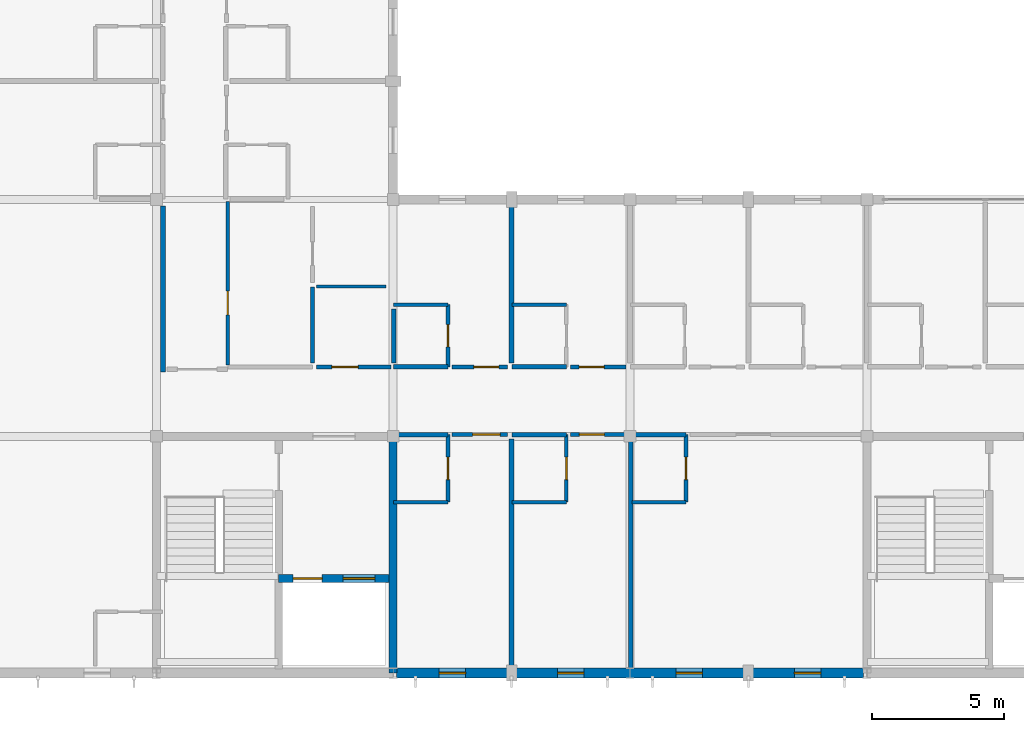
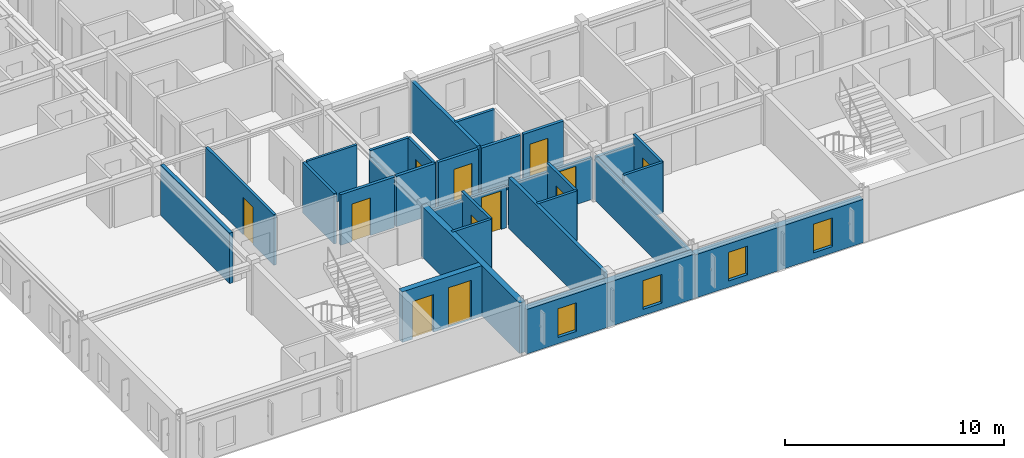
# One storey, part 10 of 24: 31 walls, 12 doors, 4 windows, 16 openings.
"""IFC4 building model written with IfcOpenShell, lengths in metres."""

from ifc_helpers import new_model, si_unit, direction, frame, frame_2d, origin, place, context, subcontext, project, spatial, rectangle, extrude, material, layer, layer_set, type_object, element, fill, save


model = new_model("IFC4")

# Units and contexts
model_context = context("Model", 3, precision=1e-05, world=origin(), true_north=direction((0.0, 1.0)))
body_context = subcontext(model_context, "Body", "Model", "MODEL_VIEW")
ifc_project = project(units=[si_unit("LENGTHUNIT", "METRE"), si_unit("AREAUNIT", "SQUARE_METRE"), si_unit("VOLUMEUNIT", "CUBIC_METRE"), si_unit("PLANEANGLEUNIT", "RADIAN"), si_unit("MASSUNIT", "GRAM", prefix="KILO")], contexts=[model_context])

# Site, building, storey
site_placement = place(None, origin())
site = spatial("IfcSite", under=ifc_project, at=site_placement, CompositionType="ELEMENT")
building_placement = place(site_placement, origin())
building = spatial("IfcBuilding", under=site, at=building_placement, Name="Palais des Congres Ocreval", CompositionType="ELEMENT")
storey_placement = place(building_placement, frame((0.0, 0.0, 17.60009765625)))
storey = spatial("IfcBuildingStorey", under=building, at=storey_placement, Name="L05", CompositionType="ELEMENT", Elevation=17.60009765625)

# Wall, opening, door
ifc_material_1 = material(Name="Moisture-resistant gypsum board")
ifc_layer_1 = layer(ifc_material_1, 0.139892578125)
ifc_layer_set_1 = layer_set([ifc_layer_1], Name="Bathroom Plumbing Chase Wall 140 Gypsum (Moisture-resistant gypsum board)")
wall_type_1 = type_object("IfcWallType", Name="Bathroom Plumbing Chase Wall 140 Gypsum", PredefinedType="PLUMBINGWALL", material=ifc_layer_set_1)
wall_1_placement = place(storey_placement, frame((20.080078125, 6.5, 0.0), z_axis=(0.0, 0.0, 1.0), x_axis=(0.0, 1.0, 0.0)))
wall_1 = element("IfcWall", 1, at=wall_1_placement, inside=storey, type_object=wall_type_1, Name="Bathroom Plumbing Wall PW03 L05", PredefinedType="PLUMBINGWALL", context=body_context, shape_type="SweptSolid", body=[
    extrude(rectangle(XDim=2.56005859375, YDim=0.139892578125, at=frame_2d((1.280029296875, 0.0))), origin(), (0.0, 0.0, 1.0), 2.81982421875),
])
opening_1_placement = place(wall_1_placement, frame((0.85498046875, 0.0, 0.0)))
opening_1 = element("IfcOpeningElement", 2, at=opening_1_placement, cuts=wall_1, Name="Opening D08", PredefinedType="OPENING", context=body_context, shape_type="SweptSolid", body=[
    extrude(rectangle(XDim=0.85009765625, YDim=2.0400390625, at=frame_2d((0.425048828125, 1.02001953125))), frame((0.0, 0.079833984375, 0.0), z_axis=(0.0, -1.0, 0.0), x_axis=(1.0, 0.0, 0.0)), (0.0, 0.0, 1.0), 0.159912109375),
])
ifc_material_2 = material(Name="Solid French oak", Category="wood")
door_type_1 = type_object("IfcDoorType", Name="En-Suite Bathroom Door 850x2040", OperationType="NOTDEFINED", PredefinedType="DOOR", material=ifc_material_2)
door_1_placement = place(opening_1_placement, origin())
door_1 = element("IfcDoor", 3, at=door_1_placement, inside=storey, type_object=door_type_1, Name="En-Suite Bathroom Door D08 L05", OperationType="SINGLE_SWING_RIGHT", OverallHeight=2.0400390625, OverallWidth=0.85009765625, PredefinedType="DOOR", context=body_context, shape_type="SweptSolid", body=[
    extrude(rectangle(XDim=0.85009765625, YDim=2.0400390625, at=frame_2d((0.425048828125, 1.02001953125))), frame((0.0, 0.02490234375, 0.0), z_axis=(0.0, -1.0, 0.0), x_axis=(1.0, 0.0, 0.0)), (0.0, 0.0, 1.0), 0.050048828125),
])
fill(opening_1, door_1)

# Wall
wall_2_placement = place(storey_placement, frame((18.02001953125, 6.5, 0.0), z_axis=(0.0, 0.0, 1.0), x_axis=(1.0, 0.0, 0.0)))
element("IfcWall", 4, at=wall_2_placement, inside=storey, type_object=wall_type_1, Name="Bathroom Plumbing Wall PW03 L05", PredefinedType="PLUMBINGWALL", context=body_context, shape_type="SweptSolid", body=[
    extrude(rectangle(XDim=2.06005859375, YDim=0.139892578125, at=frame_2d((1.030029296875, 0.0))), origin(), (0.0, 0.0, 1.0), 2.81982421875),
])

# Wall, opening, door
wall_3_placement = place(storey_placement, frame((24.580078125, 6.5, 0.0), z_axis=(0.0, 0.0, 1.0), x_axis=(0.0, 1.0, 0.0)))
wall_3 = element("IfcWall", 5, at=wall_3_placement, inside=storey, type_object=wall_type_1, Name="Bathroom Plumbing Wall PW03 L05", PredefinedType="PLUMBINGWALL", context=body_context, shape_type="SweptSolid", body=[
    extrude(rectangle(XDim=2.56005859375, YDim=0.139892578125, at=frame_2d((1.280029296875, 0.0))), origin(), (0.0, 0.0, 1.0), 2.81982421875),
])
opening_2_placement = place(wall_3_placement, frame((0.85498046875, 0.0, 0.0)))
opening_2 = element("IfcOpeningElement", 6, at=opening_2_placement, cuts=wall_3, Name="Opening D08", PredefinedType="OPENING", context=body_context, shape_type="SweptSolid", body=[
    extrude(rectangle(XDim=0.85009765625, YDim=2.0400390625, at=frame_2d((0.425048828125, 1.02001953125))), frame((0.0, 0.079833984375, 0.0), z_axis=(0.0, -1.0, 0.0), x_axis=(1.0, 0.0, 0.0)), (0.0, 0.0, 1.0), 0.159912109375),
])
door_2_placement = place(opening_2_placement, origin())
door_2 = element("IfcDoor", 7, at=door_2_placement, inside=storey, type_object=door_type_1, Name="En-Suite Bathroom Door D08 L05", OperationType="SINGLE_SWING_LEFT", OverallHeight=2.0400390625, OverallWidth=0.85009765625, PredefinedType="DOOR", context=body_context, shape_type="SweptSolid", body=[
    extrude(rectangle(XDim=0.85009765625, YDim=2.0400390625, at=frame_2d((0.425048828125, 1.02001953125))), frame((0.0, 0.02490234375, 0.0), z_axis=(0.0, -1.0, 0.0), x_axis=(1.0, 0.0, 0.0)), (0.0, 0.0, 1.0), 0.050048828125),
])
fill(opening_2, door_2)

# Wall
wall_4_placement = place(storey_placement, frame((22.52001953125, 6.5, 0.0), z_axis=(0.0, 0.0, 1.0), x_axis=(1.0, 0.0, 0.0)))
element("IfcWall", 8, at=wall_4_placement, inside=storey, type_object=wall_type_1, Name="Bathroom Plumbing Wall PW03 L05", PredefinedType="PLUMBINGWALL", context=body_context, shape_type="SweptSolid", body=[
    extrude(rectangle(XDim=2.06005859375, YDim=0.139892578125, at=frame_2d((1.030029296875, 0.0))), origin(), (0.0, 0.0, 1.0), 2.81982421875),
])

# Wall, opening, door
wall_5_placement = place(storey_placement, frame((29.1298828125, 6.5, 0.0), z_axis=(0.0, 0.0, 1.0), x_axis=(0.0, 1.0, 0.0)))
wall_5 = element("IfcWall", 9, at=wall_5_placement, inside=storey, type_object=wall_type_1, Name="Bathroom Plumbing Wall PW03 L05", PredefinedType="PLUMBINGWALL", context=body_context, shape_type="SweptSolid", body=[
    extrude(rectangle(XDim=2.56005859375, YDim=0.139892578125, at=frame_2d((1.280029296875, 0.0))), origin(), (0.0, 0.0, 1.0), 2.81982421875),
])
opening_3_placement = place(wall_5_placement, frame((0.85498046875, 0.0, 0.0)))
opening_3 = element("IfcOpeningElement", 10, at=opening_3_placement, cuts=wall_5, Name="Opening D08", PredefinedType="OPENING", context=body_context, shape_type="SweptSolid", body=[
    extrude(rectangle(XDim=0.85009765625, YDim=2.0400390625, at=frame_2d((0.425048828125, 1.02001953125))), frame((0.0, 0.079833984375, 0.0), z_axis=(0.0, -1.0, 0.0), x_axis=(1.0, 0.0, 0.0)), (0.0, 0.0, 1.0), 0.159912109375),
])
door_3_placement = place(opening_3_placement, origin())
door_3 = element("IfcDoor", 11, at=door_3_placement, inside=storey, type_object=door_type_1, Name="En-Suite Bathroom Door D08 L05", OperationType="SINGLE_SWING_RIGHT", OverallHeight=2.0400390625, OverallWidth=0.85009765625, PredefinedType="DOOR", context=body_context, shape_type="SweptSolid", body=[
    extrude(rectangle(XDim=0.85009765625, YDim=2.0400390625, at=frame_2d((0.425048828125, 1.02001953125))), frame((0.0, 0.02490234375, 0.0), z_axis=(0.0, -1.0, 0.0), x_axis=(1.0, 0.0, 0.0)), (0.0, 0.0, 1.0), 0.050048828125),
])
fill(opening_3, door_3)

# Wall
wall_6_placement = place(storey_placement, frame((27.070068359375, 6.5, 0.0), z_axis=(0.0, 0.0, 1.0), x_axis=(1.0, 0.0, 0.0)))
element("IfcWall", 12, at=wall_6_placement, inside=storey, type_object=wall_type_1, Name="Bathroom Plumbing Wall PW03 L05", PredefinedType="PLUMBINGWALL", context=body_context, shape_type="SweptSolid", body=[
    extrude(rectangle(XDim=2.059814453125, YDim=0.139892578125, at=frame_2d((1.02978515625, 0.0))), origin(), (0.0, 0.0, 1.0), 2.81982421875),
])

# Wall, opening, door
wall_7_placement = place(storey_placement, frame((20.080078125, 11.639892578125, 0.0), z_axis=(0.0, 0.0, 1.0), x_axis=(0.0, 1.0, 0.0)))
wall_7 = element("IfcWall", 13, at=wall_7_placement, inside=storey, type_object=wall_type_1, Name="Bathroom Plumbing Wall PW03 L05", PredefinedType="PLUMBINGWALL", context=body_context, shape_type="SweptSolid", body=[
    extrude(rectangle(XDim=2.360107421875, YDim=0.139892578125, at=frame_2d((1.18017578125, 0.0))), origin(), (0.0, 0.0, 1.0), 2.81982421875),
])
opening_4_placement = place(wall_7_placement, frame((0.7548828125, 0.0, 0.0)))
opening_4 = element("IfcOpeningElement", 14, at=opening_4_placement, cuts=wall_7, Name="Opening D08", PredefinedType="OPENING", context=body_context, shape_type="SweptSolid", body=[
    extrude(rectangle(XDim=0.85009765625, YDim=2.0400390625, at=frame_2d((0.425048828125, 1.02001953125))), frame((0.0, 0.079833984375, 0.0), z_axis=(0.0, -1.0, 0.0), x_axis=(1.0, 0.0, 0.0)), (0.0, 0.0, 1.0), 0.159912109375),
])
door_4_placement = place(opening_4_placement, origin())
door_4 = element("IfcDoor", 15, at=door_4_placement, inside=storey, type_object=door_type_1, Name="En-Suite Bathroom Door D08 L05", OperationType="SINGLE_SWING_LEFT", OverallHeight=2.0400390625, OverallWidth=0.85009765625, PredefinedType="DOOR", context=body_context, shape_type="SweptSolid", body=[
    extrude(rectangle(XDim=0.85009765625, YDim=2.0400390625, at=frame_2d((0.425048828125, 1.02001953125))), frame((0.0, 0.02490234375, 0.0), z_axis=(0.0, -1.0, 0.0), x_axis=(1.0, 0.0, 0.0)), (0.0, 0.0, 1.0), 0.050048828125),
])
fill(opening_4, door_4)

# Walls
for number, where, z_axis, x_axis, name in (
    (16, (18.02001953125, 14.0, 0.0), (0.0, 0.0, 1.0), (1.0, 0.0, 0.0), "Bathroom Plumbing Wall PW03 L05"),
    (17, (22.52001953125, 14.0, 0.0), (0.0, 0.0, 1.0), (1.0, 0.0, 0.0), "Bathroom Plumbing Wall PW03 L05"),
):
    element("IfcWall", number, at=place(storey_placement, frame(where, z_axis=z_axis, x_axis=x_axis)), inside=storey, type_object=wall_type_1, Name=name, PredefinedType="PLUMBINGWALL", context=body_context, shape_type="SweptSolid", body=[
        extrude(rectangle(XDim=2.06005859375, YDim=0.139892578125, at=frame_2d((1.030029296875, 0.0))), origin(), (0.0, 0.0, 1.0), 2.81982421875),
    ])
wall_8_placement = place(storey_placement, frame((14.93505859375, 11.7900390625, 0.0), z_axis=(0.0, 0.0, 1.0), x_axis=(0.0, 1.0, 0.0)))
element("IfcWall", 18, at=wall_8_placement, inside=storey, type_object=wall_type_1, Name="Interior Partition PW03 L05", PredefinedType="PLUMBINGWALL", context=body_context, shape_type="SweptSolid", body=[
    extrude(rectangle(XDim=2.889892578125, YDim=0.139892578125, at=frame_2d((1.44482421875, 0.0))), origin(), (0.0, 0.0, 1.0), 2.81982421875),
])

# Wall, opening, door
wall_9_placement = place(storey_placement, frame((11.7099609375, 11.705078125, 0.0), z_axis=(0.0, 0.0, 1.0), x_axis=(0.0, 1.0, 0.0)))
wall_9 = element("IfcWall", 19, at=wall_9_placement, inside=storey, type_object=wall_type_1, Name="Interior Partition PW03 L05", PredefinedType="PLUMBINGWALL", context=body_context, shape_type="SweptSolid", body=[
    extrude(rectangle(XDim=6.219970703125, YDim=0.139892578125, at=frame_2d((3.10986328125, 0.0))), origin(), (0.0, 0.0, 1.0), 2.81982421875),
])
opening_5_placement = place(wall_9_placement, frame((1.91357421875, 0.0, 0.0)))
opening_5 = element("IfcOpeningElement", 20, at=opening_5_placement, cuts=wall_9, Name="Opening D09", PredefinedType="OPENING", context=body_context, shape_type="SweptSolid", body=[
    extrude(rectangle(XDim=0.89990234375, YDim=2.10009765625, at=frame_2d((0.449951171875, 1.050048828125))), frame((0.0, 0.079833984375, 0.0), z_axis=(0.0, -1.0, 0.0), x_axis=(1.0, 0.0, 0.0)), (0.0, 0.0, 1.0), 0.159912109375),
])
door_type_2 = type_object("IfcDoorType", Name="Accessible Restroom Door 900x2100", OperationType="NOTDEFINED", PredefinedType="DOOR", material=ifc_material_2)
door_5_placement = place(opening_5_placement, origin())
door_5 = element("IfcDoor", 21, at=door_5_placement, inside=storey, type_object=door_type_2, Name="Interior Door D09 L05", OperationType="SINGLE_SWING_RIGHT", OverallHeight=2.10009765625, OverallWidth=0.89990234375, PredefinedType="DOOR", context=body_context, shape_type="SweptSolid", body=[
    extrude(rectangle(XDim=0.89990234375, YDim=2.10009765625, at=frame_2d((0.449951171875, 1.050048828125))), frame((0.0, 0.02490234375, 0.0), z_axis=(0.0, -1.0, 0.0), x_axis=(1.0, 0.0, 0.0)), (0.0, 0.0, 1.0), 0.050048828125),
])
fill(opening_5, door_5)

# Wall
ifc_material_3 = material(Name="Concrete C40/50", Category="concrete")
ifc_layer_2 = layer(ifc_material_3, 0.300048828125)
ifc_layer_set_2 = layer_set([ifc_layer_2], Name="Core Shear Wall 300 Concrete C40/50")
wall_type_2 = type_object("IfcWallType", Name="Core Shear Wall 300 Concrete C40/50", PredefinedType="SHEAR", material=ifc_layer_set_2)
wall_10_placement = place(storey_placement, frame((18.0, 0.0, 0.0), z_axis=(0.0, 0.0, 1.0), x_axis=(0.0, 1.0, 0.0)))
element("IfcWall", 22, at=wall_10_placement, inside=storey, type_object=wall_type_2, Name="Core Shear Wall SC01 L05 E", PredefinedType="SHEAR", context=body_context, shape_type="SweptSolid", body=[
    extrude(rectangle(XDim=9.0, YDim=0.300048828125, at=frame_2d((4.5, 0.0))), origin(), (0.0, 0.0, 1.0), 2.81982421875),
])

# Wall, openings, doors
wall_11_placement = place(storey_placement, frame((13.64990234375, 3.60009765625, 0.0), z_axis=(0.0, 0.0, 1.0), x_axis=(1.0, 0.0, 0.0)))
wall_11 = element("IfcWall", 23, at=wall_11_placement, inside=storey, type_object=wall_type_2, Name="Lift Shaft Front Wall SC01 L05", PredefinedType="SHEAR", context=body_context, shape_type="SweptSolid", body=[
    extrude(rectangle(XDim=4.2001953125, YDim=0.300048828125, at=frame_2d((2.10009765625, 0.0))), origin(), (0.0, 0.0, 1.0), 2.81982421875),
])
opening_6_placement = place(wall_11_placement, frame((0.550048828125, 0.0, 0.0)))
opening_6 = element("IfcOpeningElement", 24, at=opening_6_placement, cuts=wall_11, Name="Opening LD01", PredefinedType="OPENING", context=body_context, shape_type="SweptSolid", body=[
    extrude(rectangle(XDim=1.10009765625, YDim=2.10009765625, at=frame_2d((0.550048828125, 1.050048828125))), frame((0.0, 0.159912109375, 0.0), z_axis=(0.0, -1.0, 0.0), x_axis=(1.0, 0.0, 0.0)), (0.0, 0.0, 1.0), 0.320068359375),
])
opening_7_placement = place(wall_11_placement, frame((2.449951171875, 0.0, 0.0)))
opening_7 = element("IfcOpeningElement", 25, at=opening_7_placement, cuts=wall_11, Name="Opening LD02", PredefinedType="OPENING", context=body_context, shape_type="SweptSolid", body=[
    extrude(rectangle(XDim=1.199951171875, YDim=2.199951171875, at=frame_2d((0.60009765625, 1.10009765625))), frame((0.0, 0.159912109375, 0.0), z_axis=(0.0, -1.0, 0.0), x_axis=(1.0, 0.0, 0.0)), (0.0, 0.0, 1.0), 0.320068359375),
])
ifc_material_4 = material(Name="Stainless steel", Category="steel")
door_type_3 = type_object("IfcDoorType", Name="Firefighting Lift Sliding Landing Door 1100x2100", OperationType="NOTDEFINED", PredefinedType="DOOR", material=ifc_material_4)
door_6_placement = place(opening_6_placement, origin())
door_6 = element("IfcDoor", 26, at=door_6_placement, inside=storey, type_object=door_type_3, Name="Lift Landing Sliding Door FF1 L05", OperationType="DOUBLE_DOOR_SLIDING", OverallHeight=2.10009765625, OverallWidth=1.10009765625, PredefinedType="DOOR", context=body_context, shape_type="SweptSolid", body=[
    extrude(rectangle(XDim=1.10009765625, YDim=2.10009765625, at=frame_2d((0.550048828125, 1.050048828125))), frame((0.0, 0.02490234375, 0.0), z_axis=(0.0, -1.0, 0.0), x_axis=(1.0, 0.0, 0.0)), (0.0, 0.0, 1.0), 0.050048828125),
])
fill(opening_6, door_6)
ifc_material_5 = material(Name="Anodized bronze steel", Category="steel")
door_type_4 = type_object("IfcDoorType", Name="Passenger and Service Lift Sliding Door 1200x2200", OperationType="NOTDEFINED", PredefinedType="DOOR", material=ifc_material_5)
door_7_placement = place(opening_7_placement, origin())
door_7 = element("IfcDoor", 27, at=door_7_placement, inside=storey, type_object=door_type_4, Name="Lift Landing Sliding Door PL1 L05", OperationType="DOUBLE_DOOR_SLIDING", OverallHeight=2.199951171875, OverallWidth=1.199951171875, PredefinedType="DOOR", context=body_context, shape_type="SweptSolid", body=[
    extrude(rectangle(XDim=1.199951171875, YDim=2.199951171875, at=frame_2d((0.60009765625, 1.10009765625))), frame((0.0, 0.02490234375, 0.0), z_axis=(0.0, -1.0, 0.0), x_axis=(1.0, 0.0, 0.0)), (0.0, 0.0, 1.0), 0.050048828125),
])
fill(opening_7, door_7)

# Walls
ifc_material_6 = material(Name="Gypsum acoustic partition")
ifc_layer_3 = layer(ifc_material_6, 0.159912109375)
ifc_layer_set_3 = layer_set([ifc_layer_3], Name="Corridor Fire Partition 160 Gypsum (Gypsum acoustic partition)")
wall_type_3 = type_object("IfcWallType", Name="Corridor Fire Partition 160 Gypsum", PredefinedType="PARTITIONING", material=ifc_layer_set_3)
for number, where, z_axis, x_axis, name in (
    (28, (18.02001953125, 9.06005859375, 0.0), (0.0, 0.0, 1.0), (1.0, 0.0, 0.0), "Corridor Partition IW03 L05"),
    (29, (22.52001953125, 9.06005859375, 0.0), (0.0, 0.0, 1.0), (1.0, 0.0, 0.0), "Corridor Partition IW03 L05"),
):
    element("IfcWall", number, at=place(storey_placement, frame(where, z_axis=z_axis, x_axis=x_axis)), inside=storey, type_object=wall_type_3, Name=name, PredefinedType="PARTITIONING", context=body_context, shape_type="SweptSolid", body=[
        extrude(rectangle(XDim=2.06005859375, YDim=0.159912109375, at=frame_2d((1.030029296875, 0.0))), origin(), (0.0, 0.0, 1.0), 2.33984375),
    ])
wall_12_placement = place(storey_placement, frame((27.070068359375, 9.06005859375, 0.0), z_axis=(0.0, 0.0, 1.0), x_axis=(1.0, 0.0, 0.0)))
element("IfcWall", 30, at=wall_12_placement, inside=storey, type_object=wall_type_3, Name="Corridor Partition IW03 L05", PredefinedType="PARTITIONING", context=body_context, shape_type="SweptSolid", body=[
    extrude(rectangle(XDim=2.059814453125, YDim=0.159912109375, at=frame_2d((1.02978515625, 0.0))), origin(), (0.0, 0.0, 1.0), 2.289794921875),
])
for number, where, z_axis, x_axis, name in (
    (31, (18.02001953125, 11.639892578125, 0.0), (0.0, 0.0, 1.0), (1.0, 0.0, 0.0), "Corridor Partition IW03 L05"),
    (32, (22.52001953125, 11.639892578125, 0.0), (0.0, 0.0, 1.0), (1.0, 0.0, 0.0), "Corridor Partition IW03 L05"),
):
    element("IfcWall", number, at=place(storey_placement, frame(where, z_axis=z_axis, x_axis=x_axis)), inside=storey, type_object=wall_type_3, Name=name, PredefinedType="PARTITIONING", context=body_context, shape_type="SweptSolid", body=[
        extrude(rectangle(XDim=2.06005859375, YDim=0.159912109375, at=frame_2d((1.030029296875, 0.0))), origin(), (0.0, 0.0, 1.0), 2.81982421875),
    ])

# Wall, opening, door
wall_13_placement = place(storey_placement, frame((20.235107421875, 9.06494140625, 0.0), z_axis=(0.0, 0.0, 1.0), x_axis=(1.0, 0.0, 0.0)))
wall_13 = element("IfcWall", 33, at=wall_13_placement, inside=storey, type_object=wall_type_3, Name="Interior Partition IW03 L05", PredefinedType="PARTITIONING", context=body_context, shape_type="SweptSolid", body=[
    extrude(rectangle(XDim=2.10986328125, YDim=0.159912109375, at=frame_2d((1.054931640625, 0.0))), origin(), (0.0, 0.0, 1.0), 2.33984375),
])
opening_8_placement = place(wall_13_placement, frame((0.783203125, 0.0, 0.0)))
opening_8 = element("IfcOpeningElement", 34, at=opening_8_placement, cuts=wall_13, Name="Opening D06", PredefinedType="OPENING", context=body_context, shape_type="SweptSolid", body=[
    extrude(rectangle(XDim=1.050048828125, YDim=2.14990234375, at=frame_2d((0.52490234375, 1.074951171875))), frame((0.0, 0.08984375, 0.0), z_axis=(0.0, -1.0, 0.0), x_axis=(1.0, 0.0, 0.0)), (0.0, 0.0, 1.0), 0.179931640625),
])
door_type_5 = type_object("IfcDoorType", Name="Accessible Guestroom Door 1050x2150", OperationType="NOTDEFINED", PredefinedType="DOOR", material=ifc_material_2)
door_8_placement = place(opening_8_placement, origin())
door_8 = element("IfcDoor", 35, at=door_8_placement, inside=storey, type_object=door_type_5, Name="Interior Door D06 L05", OperationType="SINGLE_SWING_LEFT", OverallHeight=2.14990234375, OverallWidth=1.050048828125, PredefinedType="DOOR", context=body_context, shape_type="SweptSolid", body=[
    extrude(rectangle(XDim=1.050048828125, YDim=2.14990234375, at=frame_2d((0.52490234375, 1.074951171875))), frame((0.0, 0.02490234375, 0.0), z_axis=(0.0, -1.0, 0.0), x_axis=(1.0, 0.0, 0.0)), (0.0, 0.0, 1.0), 0.050048828125),
])
fill(opening_8, door_8)

wall_14_placement = place(storey_placement, frame((24.735107421875, 9.06494140625, 0.0), z_axis=(0.0, 0.0, 1.0), x_axis=(1.0, 0.0, 0.0)))
wall_14 = element("IfcWall", 36, at=wall_14_placement, inside=storey, type_object=wall_type_3, Name="Interior Partition IW03 L05", PredefinedType="PARTITIONING", context=body_context, shape_type="SweptSolid", body=[
    extrude(rectangle(XDim=2.135009765625, YDim=0.159912109375, at=frame_2d((1.0673828125, 0.0))), origin(), (0.0, 0.0, 1.0), 2.33984375),
])
opening_9_placement = place(wall_14_placement, frame((0.336181640625, 0.0, 0.0)))
opening_9 = element("IfcOpeningElement", 37, at=opening_9_placement, cuts=wall_14, Name="Opening D05", PredefinedType="OPENING", context=body_context, shape_type="SweptSolid", body=[
    extrude(rectangle(XDim=0.949951171875, YDim=2.14990234375, at=frame_2d((0.47509765625, 1.074951171875))), frame((0.0, 0.08984375, 0.0), z_axis=(0.0, -1.0, 0.0), x_axis=(1.0, 0.0, 0.0)), (0.0, 0.0, 1.0), 0.179931640625),
])
door_type_6 = type_object("IfcDoorType", Name="Hotel Guestroom Entrance Door 950x2150", OperationType="NOTDEFINED", PredefinedType="DOOR", material=ifc_material_2)
door_9_placement = place(opening_9_placement, origin())
door_9 = element("IfcDoor", 38, at=door_9_placement, inside=storey, type_object=door_type_6, Name="Interior Door D05 L05", OperationType="SINGLE_SWING_RIGHT", OverallHeight=2.14990234375, OverallWidth=0.949951171875, PredefinedType="DOOR", context=body_context, shape_type="SweptSolid", body=[
    extrude(rectangle(XDim=0.949951171875, YDim=2.14990234375, at=frame_2d((0.47509765625, 1.074951171875))), frame((0.0, 0.02490234375, 0.0), z_axis=(0.0, -1.0, 0.0), x_axis=(1.0, 0.0, 0.0)), (0.0, 0.0, 1.0), 0.050048828125),
])
fill(opening_9, door_9)

wall_15_placement = place(storey_placement, frame((15.090087890625, 11.635009765625, 0.0), z_axis=(0.0, 0.0, 1.0), x_axis=(1.0, 0.0, 0.0)))
wall_15 = element("IfcWall", 39, at=wall_15_placement, inside=storey, type_object=wall_type_3, Name="Interior Partition IW03 L05", PredefinedType="PARTITIONING", context=body_context, shape_type="SweptSolid", body=[
    extrude(rectangle(XDim=2.8349609375, YDim=0.159912109375, at=frame_2d((1.41748046875, 0.0))), origin(), (0.0, 0.0, 1.0), 2.81982421875),
])
opening_10_placement = place(wall_15_placement, frame((0.577392578125, 0.0, 0.0)))
opening_10 = element("IfcOpeningElement", 40, at=opening_10_placement, cuts=wall_15, Name="Opening D10", PredefinedType="OPENING", context=body_context, shape_type="SweptSolid", body=[
    extrude(rectangle(XDim=1.0, YDim=2.10009765625, at=frame_2d((0.5, 1.050048828125))), frame((0.0, 0.08984375, 0.0), z_axis=(0.0, -1.0, 0.0), x_axis=(1.0, 0.0, 0.0)), (0.0, 0.0, 1.0), 0.179931640625),
])
ifc_material_7 = material(Name="Painted steel", Category="steel")
door_type_7 = type_object("IfcDoorType", Name="Service and Pantry Door 1000x2100", OperationType="NOTDEFINED", PredefinedType="DOOR", material=ifc_material_7)
door_10_placement = place(opening_10_placement, origin())
door_10 = element("IfcDoor", 41, at=door_10_placement, inside=storey, type_object=door_type_7, Name="Interior Door D10 L05", OperationType="SINGLE_SWING_RIGHT", OverallHeight=2.10009765625, OverallWidth=1.0, PredefinedType="DOOR", context=body_context, shape_type="SweptSolid", body=[
    extrude(rectangle(XDim=1.0, YDim=2.10009765625, at=frame_2d((0.5, 1.050048828125))), frame((0.0, 0.02490234375, 0.0), z_axis=(0.0, -1.0, 0.0), x_axis=(1.0, 0.0, 0.0)), (0.0, 0.0, 1.0), 0.050048828125),
])
fill(opening_10, door_10)

wall_16_placement = place(storey_placement, frame((20.235107421875, 11.635009765625, 0.0), z_axis=(0.0, 0.0, 1.0), x_axis=(1.0, 0.0, 0.0)))
wall_16 = element("IfcWall", 42, at=wall_16_placement, inside=storey, type_object=wall_type_3, Name="Interior Partition IW03 L05", PredefinedType="PARTITIONING", context=body_context, shape_type="SweptSolid", body=[
    extrude(rectangle(XDim=2.10986328125, YDim=0.159912109375, at=frame_2d((1.054931640625, 0.0))), origin(), (0.0, 0.0, 1.0), 2.81982421875),
])
opening_11_placement = place(wall_16_placement, frame((0.833251953125, 0.0, 0.0)))
opening_11 = element("IfcOpeningElement", 43, at=opening_11_placement, cuts=wall_16, Name="Opening D05", PredefinedType="OPENING", context=body_context, shape_type="SweptSolid", body=[
    extrude(rectangle(XDim=0.949951171875, YDim=2.14990234375, at=frame_2d((0.47509765625, 1.074951171875))), frame((0.0, 0.08984375, 0.0), z_axis=(0.0, -1.0, 0.0), x_axis=(1.0, 0.0, 0.0)), (0.0, 0.0, 1.0), 0.179931640625),
])
door_11_placement = place(opening_11_placement, origin())
door_11 = element("IfcDoor", 44, at=door_11_placement, inside=storey, type_object=door_type_6, Name="Interior Door D05 L05", OperationType="SINGLE_SWING_RIGHT", OverallHeight=2.14990234375, OverallWidth=0.949951171875, PredefinedType="DOOR", context=body_context, shape_type="SweptSolid", body=[
    extrude(rectangle(XDim=0.949951171875, YDim=2.14990234375, at=frame_2d((0.47509765625, 1.074951171875))), frame((0.0, 0.02490234375, 0.0), z_axis=(0.0, -1.0, 0.0), x_axis=(1.0, 0.0, 0.0)), (0.0, 0.0, 1.0), 0.050048828125),
])
fill(opening_11, door_11)

wall_17_placement = place(storey_placement, frame((24.735107421875, 11.635009765625, 0.0), z_axis=(0.0, 0.0, 1.0), x_axis=(1.0, 0.0, 0.0)))
wall_17 = element("IfcWall", 45, at=wall_17_placement, inside=storey, type_object=wall_type_3, Name="Interior Partition IW03 L05", PredefinedType="PARTITIONING", context=body_context, shape_type="SweptSolid", body=[
    extrude(rectangle(XDim=2.10986328125, YDim=0.159912109375, at=frame_2d((1.054931640625, 0.0))), origin(), (0.0, 0.0, 1.0), 2.81982421875),
])
opening_12_placement = place(wall_17_placement, frame((0.326904296875, 0.0, 0.0)))
opening_12 = element("IfcOpeningElement", 46, at=opening_12_placement, cuts=wall_17, Name="Opening D05", PredefinedType="OPENING", context=body_context, shape_type="SweptSolid", body=[
    extrude(rectangle(XDim=0.949951171875, YDim=2.14990234375, at=frame_2d((0.47509765625, 1.074951171875))), frame((0.0, 0.08984375, 0.0), z_axis=(0.0, -1.0, 0.0), x_axis=(1.0, 0.0, 0.0)), (0.0, 0.0, 1.0), 0.179931640625),
])
door_12_placement = place(opening_12_placement, origin())
door_12 = element("IfcDoor", 47, at=door_12_placement, inside=storey, type_object=door_type_6, Name="Interior Door D05 L05", OperationType="SINGLE_SWING_LEFT", OverallHeight=2.14990234375, OverallWidth=0.949951171875, PredefinedType="DOOR", context=body_context, shape_type="SweptSolid", body=[
    extrude(rectangle(XDim=0.949951171875, YDim=2.14990234375, at=frame_2d((0.47509765625, 1.074951171875))), frame((0.0, 0.02490234375, 0.0), z_axis=(0.0, -1.0, 0.0), x_axis=(1.0, 0.0, 0.0)), (0.0, 0.0, 1.0), 0.050048828125),
])
fill(opening_12, door_12)

# Walls
ifc_layer_4 = layer(ifc_material_6, 0.179931640625)
ifc_layer_set_4 = layer_set([ifc_layer_4], Name="Hotel Inter-Room Acoustic Partition 180 Gypsum (Gypsum acoustic partition)")
wall_type_4 = type_object("IfcWallType", Name="Hotel Inter-Room Acoustic Partition 180 Gypsum", PredefinedType="PARTITIONING", material=ifc_layer_set_4)
wall_18_placement = place(storey_placement, frame((9.25, 11.449951171875, 0.0), z_axis=(0.0, 0.0, 1.0), x_axis=(0.0, 1.0, 0.0)))
element("IfcWall", 48, at=wall_18_placement, inside=storey, type_object=wall_type_4, Name="Hotel Party Partition IW02 L05", PredefinedType="PARTITIONING", context=body_context, shape_type="SweptSolid", body=[
    extrude(rectangle(XDim=6.300048828125, YDim=0.179931640625, at=frame_2d((3.14990234375, 0.0))), origin(), (0.0, 0.0, 1.0), 2.81982421875),
])
wall_19_placement = place(storey_placement, frame((22.5, 0.195068359375, 0.0), z_axis=(0.0, 0.0, 1.0), x_axis=(0.0, 1.0, 0.0)))
element("IfcWall", 49, at=wall_19_placement, inside=storey, type_object=wall_type_4, Name="Hotel Party Partition IW02 L05", PredefinedType="PARTITIONING", context=body_context, shape_type="SweptSolid", body=[
    extrude(rectangle(XDim=8.7099609375, YDim=0.179931640625, at=frame_2d((4.35498046875, 0.0))), origin(), (0.0, 0.0, 1.0), 2.81982421875),
])
wall_20_placement = place(storey_placement, frame((27.02490234375, 0.195068359375, 0.0), z_axis=(0.0, 0.0, 1.0), x_axis=(0.0, 1.0, 0.0)))
element("IfcWall", 50, at=wall_20_placement, inside=storey, type_object=wall_type_4, Name="Hotel Party Partition IW02 L05", PredefinedType="PARTITIONING", context=body_context, shape_type="SweptSolid", body=[
    extrude(rectangle(XDim=8.7099609375, YDim=0.179931640625, at=frame_2d((4.35498046875, 0.0))), origin(), (0.0, 0.0, 1.0), 2.33984375),
])
wall_21_placement = place(storey_placement, frame((22.5, 11.794921875, 0.0), z_axis=(0.0, 0.0, 1.0), x_axis=(0.0, 1.0, 0.0)))
element("IfcWall", 51, at=wall_21_placement, inside=storey, type_object=wall_type_4, Name="Hotel Party Partition IW02 L05", PredefinedType="PARTITIONING", context=body_context, shape_type="SweptSolid", body=[
    extrude(rectangle(XDim=6.030029296875, YDim=0.179931640625, at=frame_2d((3.01513671875, 0.0))), origin(), (0.0, 0.0, 1.0), 2.81982421875),
])
wall_22_placement = place(storey_placement, frame((18.02001953125, 11.794921875, 0.0), z_axis=(0.0, 0.0, 1.0), x_axis=(0.0, 1.0, 0.0)))
element("IfcWall", 52, at=wall_22_placement, inside=storey, type_object=wall_type_4, Name="Bathroom Party Closure Wall IW02 L05", PredefinedType="PARTITIONING", context=body_context, shape_type="SweptSolid", body=[
    extrude(rectangle(XDim=2.050048828125, YDim=0.179931640625, at=frame_2d((1.02490234375, 0.0))), origin(), (0.0, 0.0, 1.0), 2.47998046875),
])

# Wall, openings, windows
ifc_layer_5 = layer(ifc_material_3, 0.3798828125)
ifc_layer_set_5 = layer_set([ifc_layer_5], Name="Lutetian Limestone Street Wall 380 Concrete C40/50")
wall_type_5 = type_object("IfcWallType", Name="Lutetian Limestone Street Wall 380 Concrete C40/50", PredefinedType="SOLIDWALL", material=ifc_layer_set_5)
wall_23_placement = place(storey_placement, frame((35.8701171875, 0.0, 0.0), z_axis=(0.0, 0.0, 1.0), x_axis=(-1.0, 0.0, 0.0)))
wall_23 = element("IfcWall", 53, at=wall_23_placement, inside=storey, type_object=wall_type_5, Name="Exterior Wall EW03 L05", PredefinedType="SOLIDWALL", context=body_context, shape_type="SweptSolid", body=[
    extrude(rectangle(XDim=8.8701171875, YDim=0.3798828125, at=frame_2d((4.43505859375, 0.0))), origin(), (0.0, 0.0, 1.0), 2.419921875),
])
opening_13_placement = place(wall_23_placement, frame((1.6201171875, 0.0, 0.35009765625)))
opening_13 = element("IfcOpeningElement", 54, at=opening_13_placement, cuts=wall_23, Name="Opening WN18", PredefinedType="OPENING", context=body_context, shape_type="SweptSolid", body=[
    extrude(rectangle(XDim=1.0, YDim=1.60009765625, at=frame_2d((0.5, 0.800048828125))), frame((0.0, 0.199951171875, 0.0), z_axis=(0.0, -1.0, 0.0), x_axis=(1.0, 0.0, 0.0)), (0.0, 0.0, 1.0), 0.39990234375),
])
opening_14_placement = place(wall_23_placement, frame((6.1201171875, 0.0, 0.35009765625)))
opening_14 = element("IfcOpeningElement", 55, at=opening_14_placement, cuts=wall_23, Name="Opening WN18", PredefinedType="OPENING", context=body_context, shape_type="SweptSolid", body=[
    extrude(rectangle(XDim=1.0, YDim=1.60009765625, at=frame_2d((0.5, 0.800048828125))), frame((0.0, 0.199951171875, 0.0), z_axis=(0.0, -1.0, 0.0), x_axis=(1.0, 0.0, 0.0)), (0.0, 0.0, 1.0), 0.39990234375),
])
ifc_material_8 = material(Name="Anodized bronze aluminium and low-E glass", Category="glass")
window_type = type_object("IfcWindowType", Name="Stair and Lobby Daylight Window 1000x1600", PartitioningType="SINGLE_PANEL", PredefinedType="WINDOW", material=ifc_material_8)
window_1_placement = place(opening_13_placement, origin())
window_1 = element("IfcWindow", 56, at=window_1_placement, inside=storey, type_object=window_type, Name="Hotel Facade Window WN18", OverallHeight=1.60009765625, OverallWidth=1.0, PartitioningType="SINGLE_PANEL", PredefinedType="WINDOW", context=body_context, shape_type="SweptSolid", body=[
    extrude(rectangle(XDim=1.0, YDim=1.60009765625, at=frame_2d((0.5, 0.800048828125))), frame((0.0, 0.030029296875, 0.0), z_axis=(0.0, -1.0, 0.0), x_axis=(1.0, 0.0, 0.0)), (0.0, 0.0, 1.0), 0.06005859375),
])
fill(opening_13, window_1)
window_2_placement = place(opening_14_placement, origin())
window_2 = element("IfcWindow", 57, at=window_2_placement, inside=storey, type_object=window_type, Name="Hotel Facade Window WN18", OverallHeight=1.60009765625, OverallWidth=1.0, PartitioningType="SINGLE_PANEL", PredefinedType="WINDOW", context=body_context, shape_type="SweptSolid", body=[
    extrude(rectangle(XDim=1.0, YDim=1.60009765625, at=frame_2d((0.5, 0.800048828125))), frame((0.0, 0.030029296875, 0.0), z_axis=(0.0, -1.0, 0.0), x_axis=(1.0, 0.0, 0.0)), (0.0, 0.0, 1.0), 0.06005859375),
])
fill(opening_14, window_2)

wall_24_placement = place(storey_placement, frame((27.0, 0.0, 0.0), z_axis=(0.0, 0.0, 1.0), x_axis=(-1.0, 0.0, 0.0)))
wall_24 = element("IfcWall", 58, at=wall_24_placement, inside=storey, type_object=wall_type_5, Name="Exterior Wall EW03 L05", PredefinedType="SOLIDWALL", context=body_context, shape_type="SweptSolid", body=[
    extrude(rectangle(XDim=8.8701171875, YDim=0.3798828125, at=frame_2d((4.43505859375, 0.0))), origin(), (0.0, 0.0, 1.0), 2.47998046875),
])
opening_15_placement = place(wall_24_placement, frame((1.75, 0.0, 0.35009765625)))
opening_15 = element("IfcOpeningElement", 59, at=opening_15_placement, cuts=wall_24, Name="Opening WN18", PredefinedType="OPENING", context=body_context, shape_type="SweptSolid", body=[
    extrude(rectangle(XDim=1.0, YDim=1.60009765625, at=frame_2d((0.5, 0.800048828125))), frame((0.0, 0.199951171875, 0.0), z_axis=(0.0, -1.0, 0.0), x_axis=(1.0, 0.0, 0.0)), (0.0, 0.0, 1.0), 0.39990234375),
])
opening_16_placement = place(wall_24_placement, frame((6.25, 0.0, 0.35009765625)))
opening_16 = element("IfcOpeningElement", 60, at=opening_16_placement, cuts=wall_24, Name="Opening WN18", PredefinedType="OPENING", context=body_context, shape_type="SweptSolid", body=[
    extrude(rectangle(XDim=1.0, YDim=1.60009765625, at=frame_2d((0.5, 0.800048828125))), frame((0.0, 0.199951171875, 0.0), z_axis=(0.0, -1.0, 0.0), x_axis=(1.0, 0.0, 0.0)), (0.0, 0.0, 1.0), 0.39990234375),
])
window_3_placement = place(opening_15_placement, origin())
window_3 = element("IfcWindow", 61, at=window_3_placement, inside=storey, type_object=window_type, Name="Hotel Facade Window WN18", OverallHeight=1.60009765625, OverallWidth=1.0, PartitioningType="SINGLE_PANEL", PredefinedType="WINDOW", context=body_context, shape_type="SweptSolid", body=[
    extrude(rectangle(XDim=1.0, YDim=1.60009765625, at=frame_2d((0.5, 0.800048828125))), frame((0.0, 0.030029296875, 0.0), z_axis=(0.0, -1.0, 0.0), x_axis=(1.0, 0.0, 0.0)), (0.0, 0.0, 1.0), 0.06005859375),
])
fill(opening_15, window_3)
window_4_placement = place(opening_16_placement, origin())
window_4 = element("IfcWindow", 62, at=window_4_placement, inside=storey, type_object=window_type, Name="Hotel Facade Window WN18", OverallHeight=1.60009765625, OverallWidth=1.0, PartitioningType="SINGLE_PANEL", PredefinedType="WINDOW", context=body_context, shape_type="SweptSolid", body=[
    extrude(rectangle(XDim=1.0, YDim=1.60009765625, at=frame_2d((0.5, 0.800048828125))), frame((0.0, 0.030029296875, 0.0), z_axis=(0.0, -1.0, 0.0), x_axis=(1.0, 0.0, 0.0)), (0.0, 0.0, 1.0), 0.06005859375),
])
fill(opening_16, window_4)

# Wall
ifc_material_9 = material(Name="Gypsum board partition")
ifc_layer_6 = layer(ifc_material_9, 0.1201171875)
ifc_layer_set_6 = layer_set([ifc_layer_6], Name="Suite Subdivision Partition 120 Gypsum (Gypsum board partition)")
wall_type_6 = type_object("IfcWallType", Name="Suite Subdivision Partition 120 Gypsum", PredefinedType="PARTITIONING", material=ifc_layer_set_6)
wall_25_placement = place(storey_placement, frame((15.090087890625, 14.68994140625, 0.0), z_axis=(0.0, 0.0, 1.0), x_axis=(1.0, 0.0, 0.0)))
element("IfcWall", 63, at=wall_25_placement, inside=storey, type_object=wall_type_6, Name="Interior Partition IW04 L05", PredefinedType="PARTITIONING", context=body_context, shape_type="SweptSolid", body=[
    extrude(rectangle(XDim=2.639892578125, YDim=0.1201171875, at=frame_2d((1.31982421875, 0.0))), origin(), (0.0, 0.0, 1.0), 2.81982421875),
])

save(model, "model.ifc")
